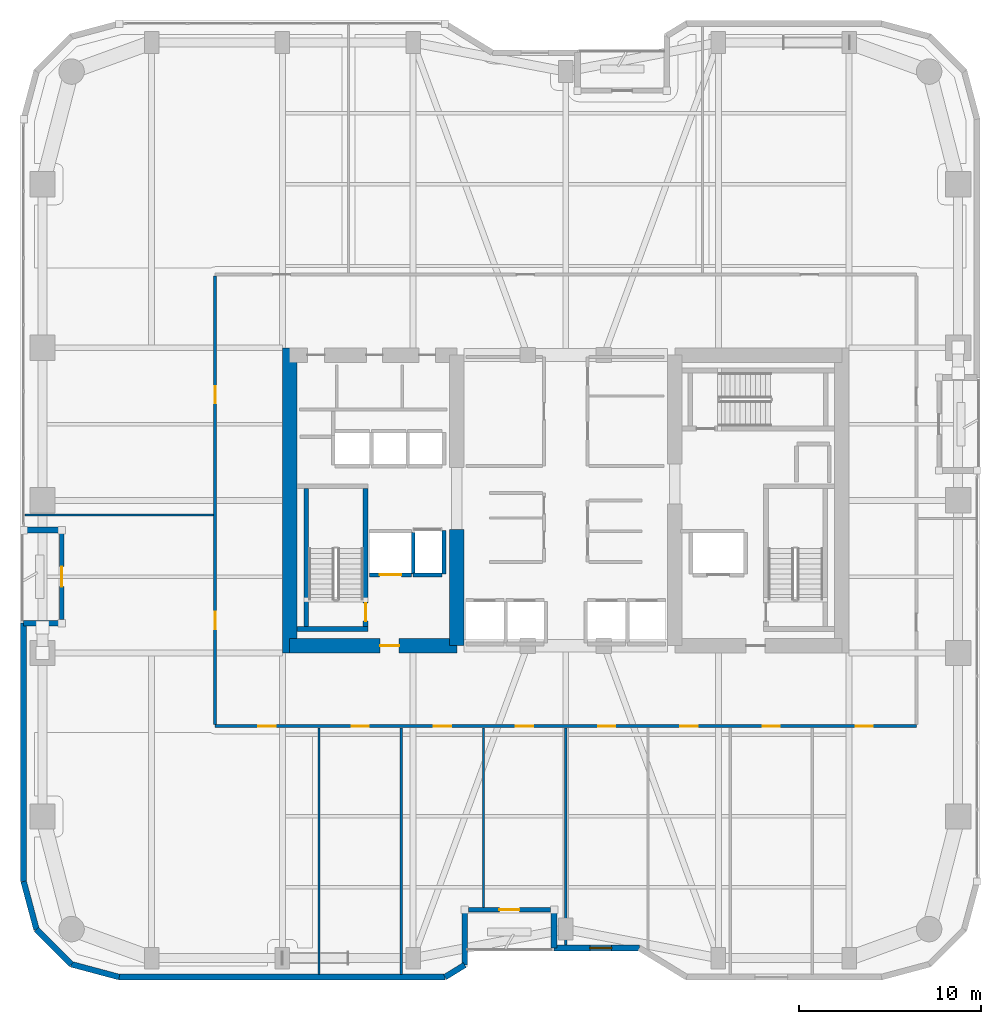
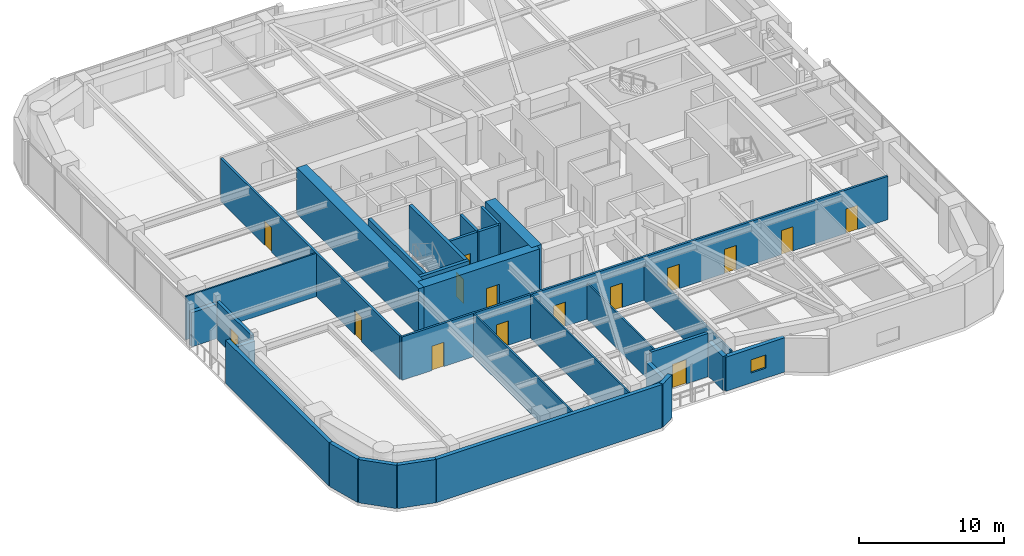
# One storey, part 18 of 24: 30 walls, 15 doors, 1 window, 16 openings.
"""IFC4 building model written with IfcOpenShell, lengths in metres."""

from ifc_helpers import new_model, si_unit, direction, frame, frame_2d, origin, place, context, subcontext, project, spatial, rectangle, extrude, material, layer, layer_set, type_object, element, fill, save


model = new_model("IFC4")

# Units and contexts
model_context = context("Model", 3, precision=1e-05, world=origin(), true_north=direction((0.0, 1.0)))
body_context = subcontext(model_context, "Body", "Model", "MODEL_VIEW")
ifc_project = project(units=[si_unit("LENGTHUNIT", "METRE"), si_unit("AREAUNIT", "SQUARE_METRE"), si_unit("VOLUMEUNIT", "CUBIC_METRE"), si_unit("PLANEANGLEUNIT", "RADIAN"), si_unit("MASSUNIT", "GRAM", prefix="KILO")], contexts=[model_context])

# Site, building, storey
site_placement = place(None, origin())
site = spatial("IfcSite", under=ifc_project, at=site_placement, CompositionType="ELEMENT")
building_placement = place(site_placement, origin())
building = spatial("IfcBuilding", under=site, at=building_placement, Name="Kiyonajd Concourse Tower", CompositionType="ELEMENT")
storey_placement = place(building_placement, frame((0.0, 0.0, 109.199951171875)))
storey = spatial("IfcBuildingStorey", under=building, at=storey_placement, Name="L28", CompositionType="ELEMENT", Elevation=109.199951171875)

# Walls
ifc_material_1 = material(Name="Concrete C70/85", Category="concrete")
ifc_layer_1 = layer(ifc_material_1, 0.800048828125)
ifc_layer_set_1 = layer_set([ifc_layer_1], Name="Concrete C70/85")
wall_type_1 = type_object("IfcWallType", Name="WL-CORE-800", PredefinedType="SHEAR", material=ifc_layer_set_1)
wall_1_placement = place(storey_placement, frame((32.800048828125, 27.60009765625, 0.0), z_axis=(0.0, 0.0, 1.0), x_axis=(0.0, 1.0, 0.0)))
element("IfcWall", 1, at=wall_1_placement, inside=storey, type_object=wall_type_1, Name="L28 West Core Outer Shear Wall", PredefinedType="SHEAR", context=body_context, shape_type="SweptSolid", body=[
    extrude(rectangle(XDim=16.7998046875, YDim=0.800048828125, at=frame_2d((8.39990234375, 0.0))), origin(), (0.0, 0.0, 1.0), 3.900146484375),
])
wall_2_placement = place(storey_placement, frame((42.0, 28.0, 0.0), z_axis=(0.0, 0.0, 1.0), x_axis=(0.0, 1.0, 0.0)))
element("IfcWall", 2, at=wall_2_placement, inside=storey, type_object=wall_type_1, Name="L28 West Core Inner South Shear Wall", PredefinedType="SHEAR", context=body_context, shape_type="SweptSolid", body=[
    extrude(rectangle(XDim=6.39990234375, YDim=0.800048828125, at=frame_2d((3.199951171875, 0.0))), origin(), (0.0, 0.0, 1.0), 3.900146484375),
])

# Wall, opening, door
wall_3_placement = place(storey_placement, frame((32.800048828125, 28.0, 0.0), z_axis=(0.0, 0.0, 1.0), x_axis=(1.0, 0.0, 0.0)))
wall_3 = element("IfcWall", 3, at=wall_3_placement, inside=storey, type_object=wall_type_1, Name="L28 West Core South Shear Wall", PredefinedType="SHEAR", context=body_context, shape_type="SweptSolid", body=[
    extrude(rectangle(XDim=9.199951171875, YDim=0.800048828125, at=frame_2d((4.60009765625, 0.0))), origin(), (0.0, 0.0, 1.0), 3.900146484375),
])
opening_1_placement = place(wall_3_placement, frame((4.97509765625, 0.0, 0.0)))
opening_1 = element("IfcOpeningElement", 4, at=opening_1_placement, cuts=wall_3, Name="Opening DF5", PredefinedType="OPENING", context=body_context, shape_type="SweptSolid", body=[
    extrude(rectangle(XDim=1.050048828125, YDim=2.0400390625, at=frame_2d((0.52490234375, 1.02001953125))), frame((0.0, 0.409912109375, 0.0), z_axis=(0.0, -1.0, 0.0), x_axis=(1.0, 0.0, 0.0)), (0.0, 0.0, 1.0), 0.820068359375),
])
ifc_material_2 = material(Name="Brushed Stainless Steel Cab Assembly", Category="steel")
door_type_1 = type_object("IfcDoorType", Name="DR-FD45-1050", OperationType="NOTDEFINED", PredefinedType="DOOR", material=ifc_material_2)
door_1_placement = place(opening_1_placement, origin())
door_1 = element("IfcDoor", 5, at=door_1_placement, inside=storey, type_object=door_type_1, Name="L28 Firefighting Lift Lobby W Smoke Door", OperationType="SINGLE_SWING_LEFT", OverallHeight=2.0400390625, OverallWidth=1.050048828125, PredefinedType="DOOR", context=body_context, shape_type="SweptSolid", body=[
    extrude(rectangle(XDim=1.050048828125, YDim=2.0400390625, at=frame_2d((0.52490234375, 1.02001953125))), frame((0.0, 0.02490234375, 0.0), z_axis=(0.0, -1.0, 0.0), x_axis=(1.0, 0.0, 0.0)), (0.0, 0.0, 1.0), 0.050048828125),
])
fill(opening_1, door_1)

# Walls
ifc_material_3 = material(Name="Precast concrete C50/60", Category="concrete")
ifc_layer_2 = layer(ifc_material_3, 0.320068359375)
ifc_layer_set_2 = layer_set([ifc_layer_2], Name="Precast concrete C50/60")
wall_type_2 = type_object("IfcWallType", Name="WL-EXT-320", PredefinedType="SOLIDWALL", material=ifc_layer_set_2)
wall_4_placement = place(storey_placement, frame((18.866455078125, 12.3828125, 0.0), z_axis=(0.0, 0.0, 1.0), x_axis=(-0.25869736047, 0.965958423373, 0.0)))
element("IfcWall", 6, at=wall_4_placement, inside=storey, type_object=wall_type_2, Name="L28 Exterior Concrete Frame Wall 00", PredefinedType="SOLIDWALL", context=body_context, shape_type="SweptSolid", body=[
    extrude(rectangle(XDim=2.731201171875, YDim=0.320068359375, at=frame_2d((1.36572265625, 0.0))), origin(), (0.0, 0.0, 1.0), 3.64013671875),
])
wall_5_placement = place(storey_placement, frame((18.159912109375, 15.02099609375, 0.0), z_axis=(0.0, 0.0, 1.0), x_axis=(0.0, 1.0, 0.0)))
element("IfcWall", 7, at=wall_5_placement, inside=storey, type_object=wall_type_2, Name="L28 Exterior Concrete Frame Wall 01", PredefinedType="SOLIDWALL", context=body_context, shape_type="SweptSolid", body=[
    extrude(rectangle(XDim=14.218994140625, YDim=0.320068359375, at=frame_2d((7.109375, 0.0))), origin(), (0.0, 0.0, 1.0), 3.64013671875),
])
for number, where, z_axis, x_axis, name in (
    (8, (18.159912109375, 29.239990234375, 0.0), (0.0, 0.0, 1.0), (1.0, 0.0, 0.0), "L28 Exterior Concrete Frame Wall 02"),
    (9, (20.260009765625, 34.360107421875, 0.0), (0.0, 0.0, 1.0), (-1.0, 0.0, 0.0), "L28 Exterior Concrete Frame Wall 04"),
):
    element("IfcWall", number, at=place(storey_placement, frame(where, z_axis=z_axis, x_axis=x_axis)), inside=storey, type_object=wall_type_2, Name=name, PredefinedType="SOLIDWALL", context=body_context, shape_type="SweptSolid", body=[
        extrude(rectangle(XDim=2.10009765625, YDim=0.320068359375, at=frame_2d((1.050048828125, 0.0))), origin(), (0.0, 0.0, 1.0), 2.875),
    ])

# Wall, opening, window
wall_6_placement = place(storey_placement, frame((52.04541015625, 11.360107421875, 0.0), z_axis=(0.0, 0.0, 1.0), x_axis=(-1.0, 0.0, 0.0)))
wall_6 = element("IfcWall", 10, at=wall_6_placement, inside=storey, type_object=wall_type_2, Name="L28 Exterior Concrete Frame Wall 30", PredefinedType="SOLIDWALL", context=body_context, shape_type="SweptSolid", body=[
    extrude(rectangle(XDim=4.685302734375, YDim=0.320068359375, at=frame_2d((2.3427734375, 0.0))), origin(), (0.0, 0.0, 1.0), 2.875),
])
opening_2_placement = place(wall_6_placement, frame((1.51806640625, 0.0, 0.85009765625)))
opening_2 = element("IfcOpeningElement", 11, at=opening_2_placement, cuts=wall_6, Name="Opening WN3", PredefinedType="OPENING", context=body_context, shape_type="SweptSolid", body=[
    extrude(rectangle(XDim=1.199951171875, YDim=1.10009765625, at=frame_2d((0.60009765625, 0.550048828125))), frame((0.0, 0.169921875, 0.0), z_axis=(0.0, -1.0, 0.0), x_axis=(1.0, 0.0, 0.0)), (0.0, 0.0, 1.0), 0.340087890625),
])
ifc_material_4 = material(Name="Double Low-E Insulated Glass", Category="glass")
window_type = type_object("IfcWindowType", Name="WN-VIS-1200x1100", PartitioningType="SINGLE_PANEL", PredefinedType="WINDOW", material=ifc_material_4)
window_placement = place(opening_2_placement, origin())
window = element("IfcWindow", 12, at=window_placement, inside=storey, type_object=window_type, Name="L28 Modular Facade Vision Window 30", OverallHeight=1.10009765625, OverallWidth=1.199951171875, PartitioningType="SINGLE_PANEL", PredefinedType="WINDOW", context=body_context, shape_type="SweptSolid", body=[
    extrude(rectangle(XDim=1.199951171875, YDim=1.10009765625, at=frame_2d((0.60009765625, 0.550048828125))), frame((0.0, 0.030029296875, 0.0), z_axis=(0.0, -1.0, 0.0), x_axis=(1.0, 0.0, 0.0)), (0.0, 0.0, 1.0), 0.06005859375),
])
fill(opening_2, window)

# Walls
wall_7_placement = place(storey_placement, frame((47.360107421875, 11.360107421875, 0.0), z_axis=(0.0, 0.0, 1.0), x_axis=(0.0, 1.0, 0.0)))
element("IfcWall", 13, at=wall_7_placement, inside=storey, type_object=wall_type_2, Name="L28 Exterior Concrete Frame Wall 31", PredefinedType="SOLIDWALL", context=body_context, shape_type="SweptSolid", body=[
    extrude(rectangle(XDim=2.099853515625, YDim=0.320068359375, at=frame_2d((1.0498046875, 0.0))), origin(), (0.0, 0.0, 1.0), 2.875),
])
wall_8_placement = place(storey_placement, frame((42.43994140625, 13.4599609375, 0.0), z_axis=(0.0, 0.0, 1.0), x_axis=(0.0, -1.0, 0.0)))
element("IfcWall", 14, at=wall_8_placement, inside=storey, type_object=wall_type_2, Name="L28 Exterior Concrete Frame Wall 33", PredefinedType="SOLIDWALL", context=body_context, shape_type="SweptSolid", body=[
    extrude(rectangle(XDim=3.032470703125, YDim=0.320068359375, at=frame_2d((1.51611328125, 0.0))), origin(), (0.0, 0.0, 1.0), 2.875),
])
wall_9_placement = place(storey_placement, frame((42.43994140625, 10.427490234375, 0.0), z_axis=(0.0, 0.0, 1.0), x_axis=(-0.851776724646, -0.523904964045, 0.0)))
element("IfcWall", 15, at=wall_9_placement, inside=storey, type_object=wall_type_2, Name="L28 Exterior Concrete Frame Wall 34", PredefinedType="SOLIDWALL", context=body_context, shape_type="SweptSolid", body=[
    extrude(rectangle(XDim=1.274169921875, YDim=0.320068359375, at=frame_2d((0.63720703125, 0.0))), origin(), (0.0, 0.0, 1.0), 3.64013671875),
])
wall_10_placement = place(storey_placement, frame((41.354736328125, 9.760009765625, 0.0), z_axis=(0.0, 0.0, 1.0), x_axis=(-1.0, 0.0, 0.0)))
element("IfcWall", 16, at=wall_10_placement, inside=storey, type_object=wall_type_2, Name="L28 Exterior Concrete Frame Wall 35", PredefinedType="SOLIDWALL", context=body_context, shape_type="SweptSolid", body=[
    extrude(rectangle(XDim=17.93359375, YDim=0.320068359375, at=frame_2d((8.966796875, 0.0))), origin(), (0.0, 0.0, 1.0), 3.64013671875),
])
wall_11_placement = place(storey_placement, frame((23.421142578125, 9.760009765625, 0.0), z_axis=(0.0, 0.0, 1.0), x_axis=(-0.965964405026, 0.25867502435, 0.0)))
element("IfcWall", 17, at=wall_11_placement, inside=storey, type_object=wall_type_2, Name="L28 Exterior Concrete Frame Wall 36", PredefinedType="SOLIDWALL", context=body_context, shape_type="SweptSolid", body=[
    extrude(rectangle(XDim=2.7314453125, YDim=0.320068359375, at=frame_2d((1.36572265625, 0.0))), origin(), (0.0, 0.0, 1.0), 3.64013671875),
])
wall_12_placement = place(storey_placement, frame((20.78271484375, 10.466552734375, 0.0), z_axis=(0.0, 0.0, 1.0), x_axis=(-0.707106781187, 0.707106781187, 0.0)))
element("IfcWall", 18, at=wall_12_placement, inside=storey, type_object=wall_type_2, Name="L28 Exterior Concrete Frame Wall 37", PredefinedType="SOLIDWALL", context=body_context, shape_type="SweptSolid", body=[
    extrude(rectangle(XDim=2.7099609375, YDim=0.320068359375, at=frame_2d((1.35498046875, 0.0))), origin(), (0.0, 0.0, 1.0), 3.64013671875),
])

# Wall, opening, door
ifc_layer_3 = layer(ifc_material_3, 0.239990234375)
ifc_layer_set_3 = layer_set([ifc_layer_3], Name="Precast concrete C50/60")
wall_type_3 = type_object("IfcWallType", Name="WL-LOG-240", PredefinedType="SOLIDWALL", material=ifc_layer_set_3)
wall_13_placement = place(storey_placement, frame((20.260009765625, 29.43505859375, 0.0), z_axis=(0.0, 0.0, 1.0), x_axis=(0.0, 1.0, 0.0)))
wall_13 = element("IfcWall", 19, at=wall_13_placement, inside=storey, type_object=wall_type_3, Name="L28 Recessed Loggia Thermal Wall LOG-W", PredefinedType="SOLIDWALL", context=body_context, shape_type="SweptSolid", body=[
    extrude(rectangle(XDim=4.72998046875, YDim=0.239990234375, at=frame_2d((2.364990234375, 0.0))), origin(), (0.0, 0.0, 1.0), 3.162109375),
])
opening_3_placement = place(wall_13_placement, frame((1.81494140625, 0.0, 0.0)))
opening_3 = element("IfcOpeningElement", 20, at=opening_3_placement, cuts=wall_13, Name="Opening DL2", PredefinedType="OPENING", context=body_context, shape_type="SweptSolid", body=[
    extrude(rectangle(XDim=1.10009765625, YDim=2.0400390625, at=frame_2d((0.550048828125, 1.02001953125))), frame((0.0, 0.1298828125, 0.0), z_axis=(0.0, -1.0, 0.0), x_axis=(1.0, 0.0, 0.0)), (0.0, 0.0, 1.0), 0.260009765625),
])
ifc_material_5 = material(Name="Thermally Broken Anodised Aluminium", Category="aluminium")
door_type_2 = type_object("IfcDoorType", Name="DR-LOG-1100", OperationType="NOTDEFINED", PredefinedType="DOOR", material=ifc_material_5)
door_2_placement = place(opening_3_placement, origin())
door_2 = element("IfcDoor", 21, at=door_2_placement, inside=storey, type_object=door_type_2, Name="L28 Engawa Loggia Access Door LOG-W", OperationType="SINGLE_SWING_LEFT", OverallHeight=2.0400390625, OverallWidth=1.10009765625, PredefinedType="DOOR", context=body_context, shape_type="SweptSolid", body=[
    extrude(rectangle(XDim=1.10009765625, YDim=2.0400390625, at=frame_2d((0.550048828125, 1.02001953125))), frame((0.0, 0.02490234375, 0.0), z_axis=(0.0, -1.0, 0.0), x_axis=(1.0, 0.0, 0.0)), (0.0, 0.0, 1.0), 0.050048828125),
])
fill(opening_3, door_2)

wall_14_placement = place(storey_placement, frame((47.1650390625, 13.4599609375, 0.0), z_axis=(0.0, 0.0, 1.0), x_axis=(-1.0, 0.0, 0.0)))
wall_14 = element("IfcWall", 22, at=wall_14_placement, inside=storey, type_object=wall_type_3, Name="L28 Recessed Loggia Thermal Wall LOG-S", PredefinedType="SOLIDWALL", context=body_context, shape_type="SweptSolid", body=[
    extrude(rectangle(XDim=4.530029296875, YDim=0.239990234375, at=frame_2d((2.26513671875, 0.0))), origin(), (0.0, 0.0, 1.0), 3.64013671875),
])
opening_4_placement = place(wall_14_placement, frame((1.715087890625, 0.0, 0.0)))
opening_4 = element("IfcOpeningElement", 23, at=opening_4_placement, cuts=wall_14, Name="Opening DL2", PredefinedType="OPENING", context=body_context, shape_type="SweptSolid", body=[
    extrude(rectangle(XDim=1.10009765625, YDim=2.0400390625, at=frame_2d((0.550048828125, 1.02001953125))), frame((0.0, 0.1298828125, 0.0), z_axis=(0.0, -1.0, 0.0), x_axis=(1.0, 0.0, 0.0)), (0.0, 0.0, 1.0), 0.260009765625),
])
door_3_placement = place(opening_4_placement, origin())
door_3 = element("IfcDoor", 24, at=door_3_placement, inside=storey, type_object=door_type_2, Name="L28 Engawa Loggia Access Door LOG-S", OperationType="SINGLE_SWING_RIGHT", OverallHeight=2.0400390625, OverallWidth=1.10009765625, PredefinedType="DOOR", context=body_context, shape_type="SweptSolid", body=[
    extrude(rectangle(XDim=1.10009765625, YDim=2.0400390625, at=frame_2d((0.550048828125, 1.02001953125))), frame((0.0, 0.02490234375, 0.0), z_axis=(0.0, -1.0, 0.0), x_axis=(1.0, 0.0, 0.0)), (0.0, 0.0, 1.0), 0.050048828125),
])
fill(opening_4, door_3)

# Walls
ifc_material_6 = material(Name="Gypsum Board on Cold-Formed Steel Stud", Category="steel")
ifc_layer_4 = layer(ifc_material_6, 0.125)
ifc_layer_set_4 = layer_set([ifc_layer_4], Name="Gypsum Board on Cold-Formed Steel Stud")
wall_type_4 = type_object("IfcWallType", Name="WL-PART-125", PredefinedType="PARTITIONING", material=ifc_layer_set_4)
for number, where, z_axis, x_axis, name in (
    (25, (34.419921875, 9.9150390625, 0.0), (0.0, 0.0, 1.0), (0.0, 1.0, 0.0), "L28 Interior Partition Wall"),
    (26, (38.949951171875, 9.9150390625, 0.0), (0.0, 0.0, 1.0), (0.0, 1.0, 0.0), "L28 Interior Partition Wall"),
):
    element("IfcWall", number, at=place(storey_placement, frame(where, z_axis=z_axis, x_axis=x_axis)), inside=storey, type_object=wall_type_4, Name=name, PredefinedType="PARTITIONING", context=body_context, shape_type="SweptSolid", body=[
        extrude(rectangle(XDim=13.56787109375, YDim=0.125, at=frame_2d((6.783935546875, 0.0))), origin(), (0.0, 0.0, 1.0), 3.64013671875),
    ])
wall_15_placement = place(storey_placement, frame((43.469970703125, 13.574951171875, 0.0), z_axis=(0.0, 0.0, 1.0), x_axis=(0.0, 1.0, 0.0)))
element("IfcWall", 27, at=wall_15_placement, inside=storey, type_object=wall_type_4, Name="L28 Interior Partition Wall", PredefinedType="PARTITIONING", context=body_context, shape_type="SweptSolid", body=[
    extrude(rectangle(XDim=9.907958984375, YDim=0.125, at=frame_2d((4.9541015625, 0.0))), origin(), (0.0, 0.0, 1.0), 3.0029296875),
])
wall_16_placement = place(storey_placement, frame((48.0, 11.514892578125, 0.0), z_axis=(0.0, 0.0, 1.0), x_axis=(0.0, 1.0, 0.0)))
element("IfcWall", 28, at=wall_16_placement, inside=storey, type_object=wall_type_4, Name="L28 Interior Partition Wall", PredefinedType="PARTITIONING", context=body_context, shape_type="SweptSolid", body=[
    extrude(rectangle(XDim=11.968017578125, YDim=0.125, at=frame_2d((5.98388671875, 0.0))), origin(), (0.0, 0.0, 1.0), 3.0029296875),
])
wall_17_placement = place(storey_placement, frame((18.2451171875, 35.199951171875, 0.0), z_axis=(0.0, 0.0, 1.0), x_axis=(1.0, 0.0, 0.0)))
element("IfcWall", 29, at=wall_17_placement, inside=storey, type_object=wall_type_4, Name="L28 Interior Partition Wall", PredefinedType="PARTITIONING", context=body_context, shape_type="SweptSolid", body=[
    extrude(rectangle(XDim=10.367919921875, YDim=0.125, at=frame_2d((5.18408203125, 0.0))), origin(), (0.0, 0.0, 1.0), 3.64013671875),
])

# Wall, opening, door
ifc_layer_5 = layer(ifc_material_6, 0.2099609375)
ifc_layer_set_5 = layer_set([ifc_layer_5], Name="Gypsum Board on Cold-Formed Steel Stud")
wall_type_5 = type_object("IfcWallType", Name="WL-SHAFT-210", PredefinedType="PARTITIONING", material=ifc_layer_set_5)
wall_18_placement = place(storey_placement, frame((37.199951171875, 31.89990234375, 0.0), z_axis=(0.0, 0.0, 1.0), x_axis=(1.0, 0.0, 0.0)))
wall_18 = element("IfcWall", 30, at=wall_18_placement, inside=storey, type_object=wall_type_5, Name="L28 Shaft Enclosure Wall", PredefinedType="PARTITIONING", context=body_context, shape_type="SweptSolid", body=[
    extrude(rectangle(XDim=2.300048828125, YDim=0.2099609375, at=frame_2d((1.14990234375, 0.0))), origin(), (0.0, 0.0, 1.0), 3.64013671875),
])
opening_5_placement = place(wall_18_placement, frame((0.550048828125, 0.0, 0.0)))
opening_5 = element("IfcOpeningElement", 31, at=opening_5_placement, cuts=wall_18, Name="Opening LD2", PredefinedType="OPENING", context=body_context, shape_type="SweptSolid", body=[
    extrude(rectangle(XDim=1.199951171875, YDim=2.0400390625, at=frame_2d((0.60009765625, 1.02001953125))), frame((0.0, 0.114990234375, 0.0), z_axis=(0.0, -1.0, 0.0), x_axis=(1.0, 0.0, 0.0)), (0.0, 0.0, 1.0), 0.22998046875),
])
door_type_3 = type_object("IfcDoorType", Name="DR-LD-1200", OperationType="DOUBLE_DOOR_SLIDING", PredefinedType="DOOR", material=ifc_material_2)
door_4_placement = place(opening_5_placement, origin())
door_4 = element("IfcDoor", 32, at=door_4_placement, inside=storey, type_object=door_type_3, Name="L28 Lift FFL1 Sliding Landing Door", OperationType="DOUBLE_DOOR_SLIDING", OverallHeight=2.0400390625, OverallWidth=1.199951171875, PredefinedType="DOOR", context=body_context, shape_type="SweptSolid", body=[
    extrude(rectangle(XDim=1.199951171875, YDim=2.0400390625, at=frame_2d((0.60009765625, 1.02001953125))), frame((0.0, 0.02490234375, 0.0), z_axis=(0.0, -1.0, 0.0), x_axis=(1.0, 0.0, 0.0)), (0.0, 0.0, 1.0), 0.050048828125),
])
fill(opening_5, door_4)

# Walls
wall_19_placement = place(storey_placement, frame((39.60009765625, 31.9599609375, 0.0), z_axis=(0.0, 0.0, 1.0), x_axis=(0.0, 1.0, 0.0)))
element("IfcWall", 33, at=wall_19_placement, inside=storey, type_object=wall_type_5, Name="L28 Shaft Enclosure Wall", PredefinedType="PARTITIONING", context=body_context, shape_type="SweptSolid", body=[
    extrude(rectangle(XDim=2.280029296875, YDim=0.2099609375, at=frame_2d((1.14013671875, 0.0))), origin(), (0.0, 0.0, 1.0), 3.64013671875),
])
wall_20_placement = place(storey_placement, frame((39.60009765625, 31.89990234375, 0.0), z_axis=(0.0, 0.0, 1.0), x_axis=(1.0, 0.0, 0.0)))
element("IfcWall", 34, at=wall_20_placement, inside=storey, type_object=wall_type_5, Name="L28 Shaft Enclosure Wall", PredefinedType="PARTITIONING", context=body_context, shape_type="SweptSolid", body=[
    extrude(rectangle(XDim=1.599853515625, YDim=0.2099609375, at=frame_2d((0.7998046875, 0.0))), origin(), (0.0, 0.0, 1.0), 3.64013671875),
])
wall_21_placement = place(storey_placement, frame((41.300048828125, 31.9599609375, 0.0), z_axis=(0.0, 0.0, 1.0), x_axis=(0.0, 1.0, 0.0)))
element("IfcWall", 35, at=wall_21_placement, inside=storey, type_object=wall_type_5, Name="L28 Shaft Enclosure Wall", PredefinedType="PARTITIONING", context=body_context, shape_type="SweptSolid", body=[
    extrude(rectangle(XDim=2.380126953125, YDim=0.2099609375, at=frame_2d((1.18994140625, 0.0))), origin(), (0.0, 0.0, 1.0), 3.64013671875),
])

# Wall, openings, doors
ifc_layer_6 = layer(ifc_material_6, 0.169921875)
ifc_layer_set_6 = layer_set([ifc_layer_6], Name="Gypsum Board on Cold-Formed Steel Stud")
wall_type_6 = type_object("IfcWallType", Name="WL-SMK-170", PredefinedType="PARTITIONING", material=ifc_layer_set_6)
wall_22_placement = place(storey_placement, frame((28.699951171875, 23.570068359375, 0.0), z_axis=(0.0, 0.0, 1.0), x_axis=(1.0, 0.0, 0.0)))
wall_22 = element("IfcWall", 36, at=wall_22_placement, inside=storey, type_object=wall_type_6, Name="L28 Interior Partition Wall", PredefinedType="PARTITIONING", context=body_context, shape_type="SweptSolid", body=[
    extrude(rectangle(XDim=38.60009765625, YDim=0.169921875, at=frame_2d((19.300048828125, 0.0))), origin(), (0.0, 0.0, 1.0), 3.64013671875),
])
opening_6_placement = place(wall_22_placement, frame((2.385009765625, 0.0, 0.0)))
opening_6 = element("IfcOpeningElement", 37, at=opening_6_placement, cuts=wall_22, Name="Opening DI1", PredefinedType="OPENING", context=body_context, shape_type="SweptSolid", body=[
    extrude(rectangle(XDim=0.949951171875, YDim=2.0400390625, at=frame_2d((0.47509765625, 1.02001953125))), frame((0.0, 0.094970703125, 0.0), z_axis=(0.0, -1.0, 0.0), x_axis=(1.0, 0.0, 0.0)), (0.0, 0.0, 1.0), 0.18994140625),
])
opening_7_placement = place(wall_22_placement, frame((7.510009765625, 0.0, 0.0)))
opening_7 = element("IfcOpeningElement", 38, at=opening_7_placement, cuts=wall_22, Name="Opening DI1", PredefinedType="OPENING", context=body_context, shape_type="SweptSolid", body=[
    extrude(rectangle(XDim=0.949951171875, YDim=2.0400390625, at=frame_2d((0.47509765625, 1.02001953125))), frame((0.0, 0.094970703125, 0.0), z_axis=(0.0, -1.0, 0.0), x_axis=(1.0, 0.0, 0.0)), (0.0, 0.0, 1.0), 0.18994140625),
])
opening_8_placement = place(wall_22_placement, frame((12.034912109375, 0.0, 0.0)))
opening_8 = element("IfcOpeningElement", 39, at=opening_8_placement, cuts=wall_22, Name="Opening DI1", PredefinedType="OPENING", context=body_context, shape_type="SweptSolid", body=[
    extrude(rectangle(XDim=0.949951171875, YDim=2.0400390625, at=frame_2d((0.47509765625, 1.02001953125))), frame((0.0, 0.094970703125, 0.0), z_axis=(0.0, -1.0, 0.0), x_axis=(1.0, 0.0, 0.0)), (0.0, 0.0, 1.0), 0.18994140625),
])
opening_9_placement = place(wall_22_placement, frame((16.56005859375, 0.0, 0.0)))
opening_9 = element("IfcOpeningElement", 40, at=opening_9_placement, cuts=wall_22, Name="Opening DI1", PredefinedType="OPENING", context=body_context, shape_type="SweptSolid", body=[
    extrude(rectangle(XDim=0.949951171875, YDim=2.0400390625, at=frame_2d((0.47509765625, 1.02001953125))), frame((0.0, 0.094970703125, 0.0), z_axis=(0.0, -1.0, 0.0), x_axis=(1.0, 0.0, 0.0)), (0.0, 0.0, 1.0), 0.18994140625),
])
opening_10_placement = place(wall_22_placement, frame((21.0849609375, 0.0, 0.0)))
opening_10 = element("IfcOpeningElement", 41, at=opening_10_placement, cuts=wall_22, Name="Opening DI1", PredefinedType="OPENING", context=body_context, shape_type="SweptSolid", body=[
    extrude(rectangle(XDim=0.949951171875, YDim=2.0400390625, at=frame_2d((0.47509765625, 1.02001953125))), frame((0.0, 0.094970703125, 0.0), z_axis=(0.0, -1.0, 0.0), x_axis=(1.0, 0.0, 0.0)), (0.0, 0.0, 1.0), 0.18994140625),
])
opening_11_placement = place(wall_22_placement, frame((25.610107421875, 0.0, 0.0)))
opening_11 = element("IfcOpeningElement", 42, at=opening_11_placement, cuts=wall_22, Name="Opening DI1", PredefinedType="OPENING", context=body_context, shape_type="SweptSolid", body=[
    extrude(rectangle(XDim=0.949951171875, YDim=2.0400390625, at=frame_2d((0.47509765625, 1.02001953125))), frame((0.0, 0.094970703125, 0.0), z_axis=(0.0, -1.0, 0.0), x_axis=(1.0, 0.0, 0.0)), (0.0, 0.0, 1.0), 0.18994140625),
])
opening_12_placement = place(wall_22_placement, frame((30.135009765625, 0.0, 0.0)))
opening_12 = element("IfcOpeningElement", 43, at=opening_12_placement, cuts=wall_22, Name="Opening DI1", PredefinedType="OPENING", context=body_context, shape_type="SweptSolid", body=[
    extrude(rectangle(XDim=0.949951171875, YDim=2.0400390625, at=frame_2d((0.47509765625, 1.02001953125))), frame((0.0, 0.094970703125, 0.0), z_axis=(0.0, -1.0, 0.0), x_axis=(1.0, 0.0, 0.0)), (0.0, 0.0, 1.0), 0.18994140625),
])
opening_13_placement = place(wall_22_placement, frame((35.260009765625, 0.0, 0.0)))
opening_13 = element("IfcOpeningElement", 44, at=opening_13_placement, cuts=wall_22, Name="Opening DI1", PredefinedType="OPENING", context=body_context, shape_type="SweptSolid", body=[
    extrude(rectangle(XDim=0.949951171875, YDim=2.0400390625, at=frame_2d((0.47509765625, 1.02001953125))), frame((0.0, 0.094970703125, 0.0), z_axis=(0.0, -1.0, 0.0), x_axis=(1.0, 0.0, 0.0)), (0.0, 0.0, 1.0), 0.18994140625),
])
ifc_material_7 = material(Name="Natural Oak Acoustic Timber Veneer", Category="wood")
door_type_4 = type_object("IfcDoorType", Name="DR-INT-950", OperationType="NOTDEFINED", PredefinedType="DOOR", material=ifc_material_7)
door_5_placement = place(opening_6_placement, origin())
door_5 = element("IfcDoor", 45, at=door_5_placement, inside=storey, type_object=door_type_4, Name="L28 Interior Door", OperationType="SINGLE_SWING_RIGHT", OverallHeight=2.0400390625, OverallWidth=0.949951171875, PredefinedType="DOOR", context=body_context, shape_type="SweptSolid", body=[
    extrude(rectangle(XDim=0.949951171875, YDim=2.0400390625, at=frame_2d((0.47509765625, 1.02001953125))), frame((0.0, 0.02490234375, 0.0), z_axis=(0.0, -1.0, 0.0), x_axis=(1.0, 0.0, 0.0)), (0.0, 0.0, 1.0), 0.050048828125),
])
fill(opening_6, door_5)
door_6_placement = place(opening_7_placement, origin())
door_6 = element("IfcDoor", 46, at=door_6_placement, inside=storey, type_object=door_type_4, Name="L28 Interior Door", OperationType="SINGLE_SWING_LEFT", OverallHeight=2.0400390625, OverallWidth=0.949951171875, PredefinedType="DOOR", context=body_context, shape_type="SweptSolid", body=[
    extrude(rectangle(XDim=0.949951171875, YDim=2.0400390625, at=frame_2d((0.47509765625, 1.02001953125))), frame((0.0, 0.02490234375, 0.0), z_axis=(0.0, -1.0, 0.0), x_axis=(1.0, 0.0, 0.0)), (0.0, 0.0, 1.0), 0.050048828125),
])
fill(opening_7, door_6)
door_7_placement = place(opening_8_placement, origin())
door_7 = element("IfcDoor", 47, at=door_7_placement, inside=storey, type_object=door_type_4, Name="L28 Interior Door", OperationType="SINGLE_SWING_RIGHT", OverallHeight=2.0400390625, OverallWidth=0.949951171875, PredefinedType="DOOR", context=body_context, shape_type="SweptSolid", body=[
    extrude(rectangle(XDim=0.949951171875, YDim=2.0400390625, at=frame_2d((0.47509765625, 1.02001953125))), frame((0.0, 0.02490234375, 0.0), z_axis=(0.0, -1.0, 0.0), x_axis=(1.0, 0.0, 0.0)), (0.0, 0.0, 1.0), 0.050048828125),
])
fill(opening_8, door_7)
door_8_placement = place(opening_9_placement, origin())
door_8 = element("IfcDoor", 48, at=door_8_placement, inside=storey, type_object=door_type_4, Name="L28 Interior Door", OperationType="SINGLE_SWING_LEFT", OverallHeight=2.0400390625, OverallWidth=0.949951171875, PredefinedType="DOOR", context=body_context, shape_type="SweptSolid", body=[
    extrude(rectangle(XDim=0.949951171875, YDim=2.0400390625, at=frame_2d((0.47509765625, 1.02001953125))), frame((0.0, 0.02490234375, 0.0), z_axis=(0.0, -1.0, 0.0), x_axis=(1.0, 0.0, 0.0)), (0.0, 0.0, 1.0), 0.050048828125),
])
fill(opening_9, door_8)
door_9_placement = place(opening_10_placement, origin())
door_9 = element("IfcDoor", 49, at=door_9_placement, inside=storey, type_object=door_type_4, Name="L28 Interior Door", OperationType="SINGLE_SWING_RIGHT", OverallHeight=2.0400390625, OverallWidth=0.949951171875, PredefinedType="DOOR", context=body_context, shape_type="SweptSolid", body=[
    extrude(rectangle(XDim=0.949951171875, YDim=2.0400390625, at=frame_2d((0.47509765625, 1.02001953125))), frame((0.0, 0.02490234375, 0.0), z_axis=(0.0, -1.0, 0.0), x_axis=(1.0, 0.0, 0.0)), (0.0, 0.0, 1.0), 0.050048828125),
])
fill(opening_10, door_9)
door_10_placement = place(opening_11_placement, origin())
door_10 = element("IfcDoor", 50, at=door_10_placement, inside=storey, type_object=door_type_4, Name="L28 Interior Door", OperationType="SINGLE_SWING_LEFT", OverallHeight=2.0400390625, OverallWidth=0.949951171875, PredefinedType="DOOR", context=body_context, shape_type="SweptSolid", body=[
    extrude(rectangle(XDim=0.949951171875, YDim=2.0400390625, at=frame_2d((0.47509765625, 1.02001953125))), frame((0.0, 0.02490234375, 0.0), z_axis=(0.0, -1.0, 0.0), x_axis=(1.0, 0.0, 0.0)), (0.0, 0.0, 1.0), 0.050048828125),
])
fill(opening_11, door_10)
door_11_placement = place(opening_12_placement, origin())
door_11 = element("IfcDoor", 51, at=door_11_placement, inside=storey, type_object=door_type_4, Name="L28 Interior Door", OperationType="SINGLE_SWING_RIGHT", OverallHeight=2.0400390625, OverallWidth=0.949951171875, PredefinedType="DOOR", context=body_context, shape_type="SweptSolid", body=[
    extrude(rectangle(XDim=0.949951171875, YDim=2.0400390625, at=frame_2d((0.47509765625, 1.02001953125))), frame((0.0, 0.02490234375, 0.0), z_axis=(0.0, -1.0, 0.0), x_axis=(1.0, 0.0, 0.0)), (0.0, 0.0, 1.0), 0.050048828125),
])
fill(opening_12, door_11)
door_12_placement = place(opening_13_placement, origin())
door_12 = element("IfcDoor", 52, at=door_12_placement, inside=storey, type_object=door_type_4, Name="L28 Interior Door", OperationType="SINGLE_SWING_LEFT", OverallHeight=2.0400390625, OverallWidth=0.949951171875, PredefinedType="DOOR", context=body_context, shape_type="SweptSolid", body=[
    extrude(rectangle(XDim=0.949951171875, YDim=2.0400390625, at=frame_2d((0.47509765625, 1.02001953125))), frame((0.0, 0.02490234375, 0.0), z_axis=(0.0, -1.0, 0.0), x_axis=(1.0, 0.0, 0.0)), (0.0, 0.0, 1.0), 0.050048828125),
])
fill(opening_13, door_12)

wall_23_placement = place(storey_placement, frame((28.699951171875, 23.656982421875, 0.0), z_axis=(0.0, 0.0, 1.0), x_axis=(0.0, 1.0, 0.0)))
wall_23 = element("IfcWall", 53, at=wall_23_placement, inside=storey, type_object=wall_type_6, Name="L28 Interior Partition Wall", PredefinedType="PARTITIONING", context=body_context, shape_type="SweptSolid", body=[
    extrude(rectangle(XDim=24.68603515625, YDim=0.169921875, at=frame_2d((12.343017578125, 0.0))), origin(), (0.0, 0.0, 1.0), 3.64013671875),
])
opening_14_placement = place(wall_23_placement, frame((5.2529296875, 0.0, 0.0)))
opening_14 = element("IfcOpeningElement", 54, at=opening_14_placement, cuts=wall_23, Name="Opening DI1", PredefinedType="OPENING", context=body_context, shape_type="SweptSolid", body=[
    extrude(rectangle(XDim=0.949951171875, YDim=2.0400390625, at=frame_2d((0.47509765625, 1.02001953125))), frame((0.0, 0.094970703125, 0.0), z_axis=(0.0, -1.0, 0.0), x_axis=(1.0, 0.0, 0.0)), (0.0, 0.0, 1.0), 0.18994140625),
])
opening_15_placement = place(wall_23_placement, frame((17.68310546875, 0.0, 0.0)))
opening_15 = element("IfcOpeningElement", 55, at=opening_15_placement, cuts=wall_23, Name="Opening DI1", PredefinedType="OPENING", context=body_context, shape_type="SweptSolid", body=[
    extrude(rectangle(XDim=0.949951171875, YDim=2.0400390625, at=frame_2d((0.47509765625, 1.02001953125))), frame((0.0, 0.094970703125, 0.0), z_axis=(0.0, -1.0, 0.0), x_axis=(1.0, 0.0, 0.0)), (0.0, 0.0, 1.0), 0.18994140625),
])
door_13_placement = place(opening_14_placement, origin())
door_13 = element("IfcDoor", 56, at=door_13_placement, inside=storey, type_object=door_type_4, Name="L28 Interior Door", OperationType="SINGLE_SWING_LEFT", OverallHeight=2.0400390625, OverallWidth=0.949951171875, PredefinedType="DOOR", context=body_context, shape_type="SweptSolid", body=[
    extrude(rectangle(XDim=0.949951171875, YDim=2.0400390625, at=frame_2d((0.47509765625, 1.02001953125))), frame((0.0, 0.02490234375, 0.0), z_axis=(0.0, -1.0, 0.0), x_axis=(1.0, 0.0, 0.0)), (0.0, 0.0, 1.0), 0.050048828125),
])
fill(opening_14, door_13)
door_14_placement = place(opening_15_placement, origin())
door_14 = element("IfcDoor", 57, at=door_14_placement, inside=storey, type_object=door_type_4, Name="L28 Interior Door", OperationType="SINGLE_SWING_RIGHT", OverallHeight=2.0400390625, OverallWidth=0.949951171875, PredefinedType="DOOR", context=body_context, shape_type="SweptSolid", body=[
    extrude(rectangle(XDim=0.949951171875, YDim=2.0400390625, at=frame_2d((0.47509765625, 1.02001953125))), frame((0.0, 0.02490234375, 0.0), z_axis=(0.0, -1.0, 0.0), x_axis=(1.0, 0.0, 0.0)), (0.0, 0.0, 1.0), 0.050048828125),
])
fill(opening_15, door_14)

# Walls
ifc_material_8 = material(Name="Concrete C50/60", Category="concrete")
ifc_layer_7 = layer(ifc_material_8, 0.260009765625)
ifc_layer_set_7 = layer_set([ifc_layer_7], Name="Concrete C50/60")
wall_type_7 = type_object("IfcWallType", Name="WL-STAIR-260", PredefinedType="SHEAR", material=ifc_layer_set_7)
wall_24_placement = place(storey_placement, frame((33.199951171875, 28.919921875, 0.0), z_axis=(0.0, 0.0, 1.0), x_axis=(1.0, 0.0, 0.0)))
element("IfcWall", 58, at=wall_24_placement, inside=storey, type_object=wall_type_7, Name="L28 Stair ST1 Structural South Wall", PredefinedType="SHEAR", context=body_context, shape_type="SweptSolid", body=[
    extrude(rectangle(XDim=3.91015625, YDim=0.260009765625, at=frame_2d((1.955078125, 0.0))), origin(), (0.0, 0.0, 1.0), 3.900146484375),
])
wall_25_placement = place(storey_placement, frame((33.719970703125, 29.050048828125, 0.0), z_axis=(0.0, 0.0, 1.0), x_axis=(0.0, 1.0, 0.0)))
element("IfcWall", 59, at=wall_25_placement, inside=storey, type_object=wall_type_7, Name="L28 Stair ST1 Structural West Wall", PredefinedType="SHEAR", context=body_context, shape_type="SweptSolid", body=[
    extrude(rectangle(XDim=7.599853515625, YDim=0.260009765625, at=frame_2d((3.7998046875, 0.0))), origin(), (0.0, 0.0, 1.0), 3.900146484375),
])

# Wall, opening, door
wall_26_placement = place(storey_placement, frame((36.97998046875, 29.050048828125, 0.0), z_axis=(0.0, 0.0, 1.0), x_axis=(0.0, 1.0, 0.0)))
wall_26 = element("IfcWall", 60, at=wall_26_placement, inside=storey, type_object=wall_type_7, Name="L28 Stair ST1 Structural East Wall", PredefinedType="SHEAR", context=body_context, shape_type="SweptSolid", body=[
    extrude(rectangle(XDim=7.599853515625, YDim=0.260009765625, at=frame_2d((3.7998046875, 0.0))), origin(), (0.0, 0.0, 1.0), 3.900146484375),
])
opening_16_placement = place(wall_26_placement, frame((0.300048828125, 0.0, 0.0)))
opening_16 = element("IfcOpeningElement", 61, at=opening_16_placement, cuts=wall_26, Name="Opening DF1", PredefinedType="OPENING", context=body_context, shape_type="SweptSolid", body=[
    extrude(rectangle(XDim=1.0, YDim=2.0400390625, at=frame_2d((0.5, 1.02001953125))), frame((0.0, 0.139892578125, 0.0), z_axis=(0.0, -1.0, 0.0), x_axis=(1.0, 0.0, 0.0)), (0.0, 0.0, 1.0), 0.280029296875),
])
door_type_5 = type_object("IfcDoorType", Name="DR-FD90-1000", OperationType="NOTDEFINED", PredefinedType="DOOR", material=ifc_material_2)
door_15_placement = place(opening_16_placement, origin())
door_15 = element("IfcDoor", 62, at=door_15_placement, inside=storey, type_object=door_type_5, Name="L28 Stair ST1 FSAE Door", OperationType="SINGLE_SWING_LEFT", OverallHeight=2.0400390625, OverallWidth=1.0, PredefinedType="DOOR", context=body_context, shape_type="SweptSolid", body=[
    extrude(rectangle(XDim=1.0, YDim=2.0400390625, at=frame_2d((0.5, 1.02001953125))), frame((0.0, 0.02490234375, 0.0), z_axis=(0.0, -1.0, 0.0), x_axis=(1.0, 0.0, 0.0)), (0.0, 0.0, 1.0), 0.050048828125),
])
fill(opening_16, door_15)

save(model, "model.ifc")
